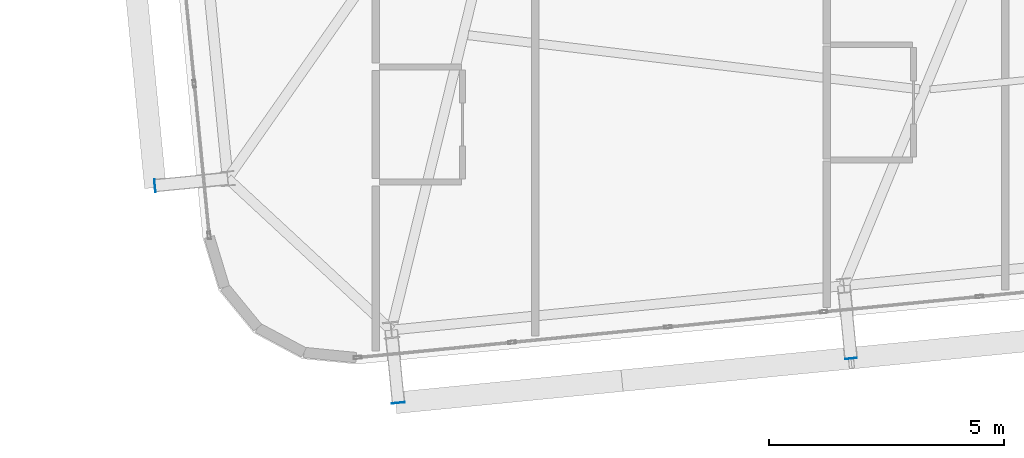
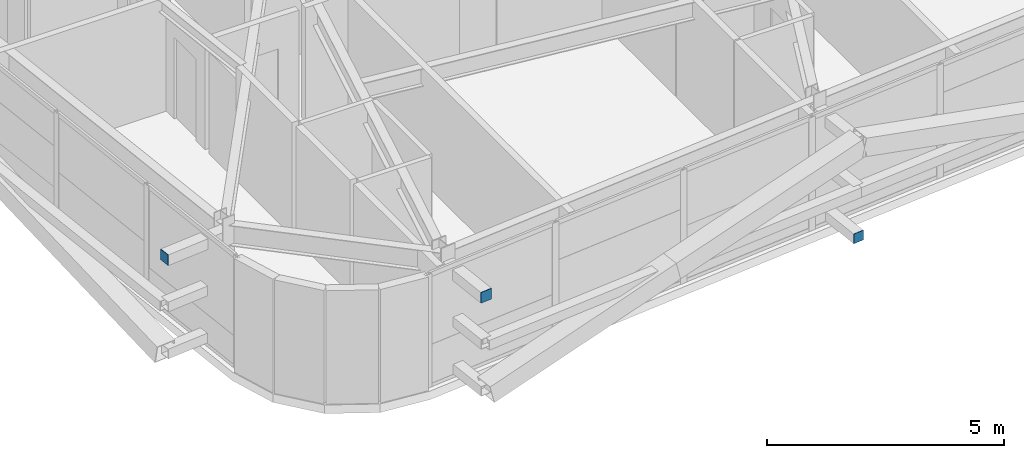
# One storey, part 38 of 53: 3 plates.
"""IFC4 building model written with IfcOpenShell, lengths in metres."""

from ifc_helpers import new_model, si_unit, direction, frame, origin, origin_2d, place, context, subcontext, project, spatial, rectangle, extrude, source, transform, mapped, material, layer, layer_set, type_object, element, save


model = new_model("IFC4")

# Units and contexts
model_context = context("Model", 3, precision=1e-05, world=origin(), true_north=direction((0.0, 1.0)))
body_context = subcontext(model_context, "Body", "Model", "MODEL_VIEW")
ifc_project = project(units=[si_unit("LENGTHUNIT", "METRE"), si_unit("AREAUNIT", "SQUARE_METRE"), si_unit("VOLUMEUNIT", "CUBIC_METRE"), si_unit("PLANEANGLEUNIT", "RADIAN"), si_unit("MASSUNIT", "GRAM", prefix="KILO")], contexts=[model_context])

# Site, building, storey
site_placement = place(None, origin())
site = spatial("IfcSite", under=ifc_project, at=site_placement, CompositionType="ELEMENT")
building_placement = place(site_placement, origin())
building = spatial("IfcBuilding", under=site, at=building_placement, Name="Taldren Reach Tower", CompositionType="ELEMENT")
storey_placement = place(building_placement, frame((0.0, 0.0, 80.85009765625)))
storey = spatial("IfcBuildingStorey", under=building, at=storey_placement, Name="L24", CompositionType="ELEMENT", Elevation=80.85009765625)

# Plates
ifc_material_1 = material(Name="Steel Gr 450 (C450L0)", Category="steel")
ifc_layer_1 = layer(ifc_material_1, 0.011962890625)
ifc_layer_set_1 = layer_set([ifc_layer_1], Name="Steel Gr 450 (C450L0)")
plate_type_1 = type_object("IfcPlateType", Name="PL-CAP-275", PredefinedType="SHEET", material=ifc_layer_set_1)
shared_shape_1 = source(origin(), body_context, "Body", "SweptSolid", [
    extrude(rectangle(XDim=0.27490234375, YDim=0.011962890625, at=origin_2d()), origin(), (0.0, 0.0, 1.0), 0.27490234375),
])
plate_1_placement = place(storey_placement, frame((15.0859375, -1.62841796875, 2.512451171875), z_axis=(0.0, 0.0, 1.0), x_axis=(0.995227399982, 0.097582899759, 0.0)))
element("IfcPlate", 1, at=plate_1_placement, inside=storey, type_object=plate_type_1, Name="Tie strut end cap plate B2-S1 L24", PredefinedType="SHEET", context=body_context, shape_type="MappedRepresentation", body=[
    mapped(shared_shape_1, transform((0.0, 0.0, 0.0), scale=1.0)),
])
shared_shape_2 = source(origin(), body_context, "Body", "SweptSolid", [
    extrude(rectangle(XDim=0.011962890625, YDim=0.27490234375, at=origin_2d()), origin(), (0.0, 0.0, 1.0), 0.27490234375),
])
plate_2_placement = place(storey_placement, frame((9.904296875, 2.993896484375, 2.512451171875), z_axis=(0.0, 0.0, 1.0), x_axis=(0.995227399982, 0.097582899759, 0.0)))
element("IfcPlate", 2, at=plate_2_placement, inside=storey, type_object=plate_type_1, Name="Tie strut end cap plate B2-W1 L24", PredefinedType="SHEET", context=body_context, shape_type="MappedRepresentation", body=[
    mapped(shared_shape_2, transform((0.0, 0.0, 0.0), scale=1.0)),
])
ifc_material_2 = material(Name="Steel Gr 350 (C350L0)", Category="steel")
ifc_layer_2 = layer(ifc_material_2, 0.011962890625)
ifc_layer_set_2 = layer_set([ifc_layer_2], Name="Steel Gr 350 (C350L0)")
plate_type_2 = type_object("IfcPlateType", Name="PL-CAP-250", PredefinedType="SHEET", material=ifc_layer_set_2)
shared_shape_3 = source(origin(), body_context, "Body", "SweptSolid", [
    extrude(rectangle(XDim=0.25, YDim=0.011962890625, at=origin_2d()), origin(), (0.0, 0.0, 1.0), 0.25),
])
plate_3_placement = place(storey_placement, frame((24.7197265625, -0.683837890625, 0.094970703125), z_axis=(0.0, 0.0, 1.0), x_axis=(0.995227399982, 0.097582899759, 0.0)))
element("IfcPlate", 3, at=plate_3_placement, inside=storey, type_object=plate_type_2, Name="Tie strut end cap plate B2-S2 L24", PredefinedType="SHEET", context=body_context, shape_type="MappedRepresentation", body=[
    mapped(shared_shape_3, transform((0.0, 0.0, 0.0), scale=1.0)),
])

save(model, "model.ifc")
